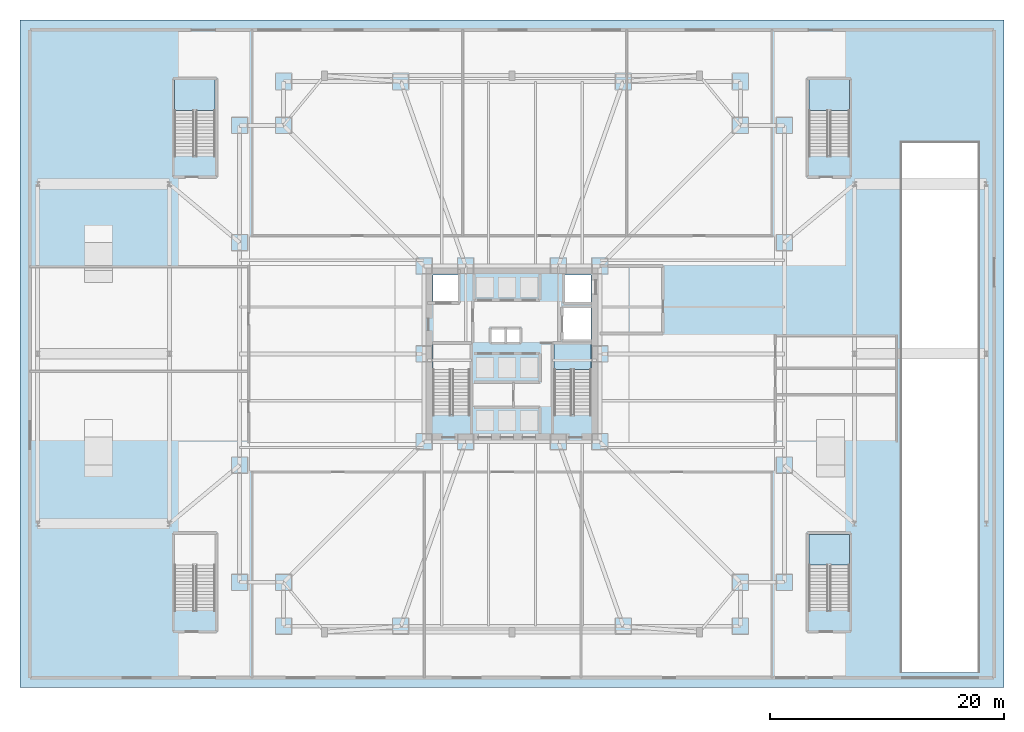
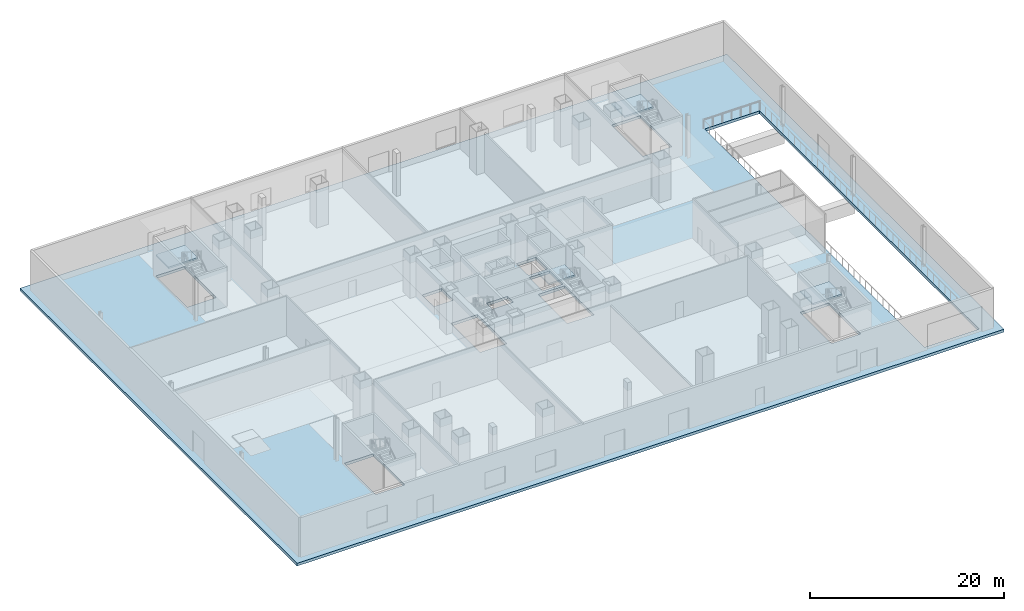
# One storey, part 5 of 24: 5 slabs, 4 elements without a shape of their own.
"""IFC4 building model written with IfcOpenShell, lengths in metres."""

from ifc_helpers import new_model, si_unit, direction, frame, origin, place, context, subcontext, project, spatial, polyline, outline, extrude, material, layer, layer_set, type_object, element, aggregate, save


model = new_model("IFC4")

# Units and contexts
model_context = context("Model", 3, precision=1e-05, world=origin(), true_north=direction((0.0, 1.0)))
body_context = subcontext(model_context, "Body", "Model", "MODEL_VIEW")
ifc_project = project(units=[si_unit("LENGTHUNIT", "METRE"), si_unit("AREAUNIT", "SQUARE_METRE"), si_unit("VOLUMEUNIT", "CUBIC_METRE"), si_unit("PLANEANGLEUNIT", "RADIAN"), si_unit("MASSUNIT", "GRAM", prefix="KILO")], contexts=[model_context])

# Site, building, storey
site_placement = place(None, origin())
site = spatial("IfcSite", under=ifc_project, at=site_placement, CompositionType="ELEMENT")
building_placement = place(site_placement, origin())
building = spatial("IfcBuilding", under=site, at=building_placement, Name="Trevonay Congress Spire", CompositionType="ELEMENT")
storey_placement = place(building_placement, origin())
storey = spatial("IfcBuildingStorey", under=building, at=storey_placement, Name="L00", CompositionType="ELEMENT", Elevation=0.0)

# Slab
ifc_material = material(Name="Concrete C40/50", Category="concrete")
ifc_layer_1 = layer(ifc_material, 0.35009765625, Name="Concrete C40/50")
ifc_layer_set_1 = layer_set([ifc_layer_1], Name="Concrete C40/50")
slab_type_1 = type_object("IfcSlabType", Name="SLB-POD-350", PredefinedType="FLOOR", material=ifc_layer_set_1)
slab_1_placement = place(storey_placement, frame((0.0, 0.0, -0.35009765625)))
element("IfcSlab", 1, at=slab_1_placement, inside=storey, type_object=slab_type_1, Name="L00 structural floor slab", PredefinedType="FLOOR", context=body_context, shape_type="SweptSolid", body=[
    extrude(outline(polyline([(-42.0, -28.5), (42.0, -28.5), (42.0, 28.5), (-42.0, 28.5), (-42.0, -28.5)]), holes=[polyline([(-3.60009765625, -5.14990234375), (-3.60009765625, 0.85009765625), (-6.75, 0.85009765625), (-6.75, -5.14990234375), (-3.60009765625, -5.14990234375)]), polyline([(6.75, -5.14990234375), (6.75, 0.85009765625), (3.60009765625, 0.85009765625), (3.60009765625, -5.14990234375), (6.75, -5.14990234375)]), polyline([(-25.35009765625, -21.85009765625), (-25.35009765625, -15.39990234375), (-28.800048828125, -15.39990234375), (-28.800048828125, -21.85009765625), (-25.35009765625, -21.85009765625)]), polyline([(28.800048828125, -21.85009765625), (28.800048828125, -15.39990234375), (25.35009765625, -15.39990234375), (25.35009765625, -21.85009765625), (28.800048828125, -21.85009765625)]), polyline([(-25.35009765625, 16.949951171875), (-25.35009765625, 23.39990234375), (-28.800048828125, 23.39990234375), (-28.800048828125, 16.949951171875), (-25.35009765625, 16.949951171875)]), polyline([(28.800048828125, 16.949951171875), (28.800048828125, 23.39990234375), (25.35009765625, 23.39990234375), (25.35009765625, 16.949951171875), (28.800048828125, 16.949951171875)]), polyline([(-6.75, 4.35009765625), (-4.449951171875, 4.35009765625), (-4.449951171875, 6.75), (-6.75, 6.75), (-6.75, 4.35009765625)]), polyline([(4.449951171875, 4.35009765625), (6.75, 4.35009765625), (6.75, 6.75), (4.449951171875, 6.75), (4.449951171875, 4.35009765625)]), polyline([(4.35009765625, 1.199951171875), (6.75, 1.199951171875), (6.75, 3.949951171875), (4.35009765625, 3.949951171875), (4.35009765625, 1.199951171875)]), polyline([(-1.800048828125, 0.949951171875), (0.699951171875, 0.949951171875), (0.699951171875, 2.14990234375), (-1.800048828125, 2.14990234375), (-1.800048828125, 0.949951171875)]), polyline([(33.300048828125, -27.199951171875), (39.800048828125, -27.199951171875), (39.800048828125, 18.0), (33.300048828125, 18.0), (33.300048828125, -27.199951171875)])]), origin(), (0.0, 0.0, 1.0), 0.35009765625),
])

# Stair, slab
stair_type_1 = type_object("IfcStairType", Name="STR-ST-2", PredefinedType="HALF_TURN_STAIR", material=ifc_material)
stair_1_placement = place(storey_placement, origin())
stair_1 = element("IfcStair", 2, at=stair_1_placement, inside=storey, type_object=stair_type_1, Name="L00 Protected Exit Stair ST-2", PredefinedType="HALF_TURN_STAIR")
ifc_layer_2 = layer(ifc_material, 0.199951171875, Name="Concrete C40/50")
ifc_layer_set_2 = layer_set([ifc_layer_2], Name="Concrete C40/50")
slab_type_2 = type_object("IfcSlabType", Name="SLB-STAIR-LAND-200", PredefinedType="LANDING", material=ifc_layer_set_2)
slab_2_placement = place(storey_placement, frame((0.0, 0.0, 2.5)))
slab_2 = element("IfcSlab", 3, at=slab_2_placement, type_object=slab_type_2, Name="ST-2 landing 1", PredefinedType="LANDING", context=body_context, shape_type="SweptSolid", body=[
    extrude(outline(polyline([(6.75, -1.330078125), (6.75, 0.85009765625), (3.60009765625, 0.85009765625), (3.60009765625, -1.330078125), (6.75, -1.330078125)])), origin(), (0.0, 0.0, 1.0), 0.199951171875),
])
aggregate(stair_1, [slab_2])

stair_type_2 = type_object("IfcStairType", Name="STR-ST-4", PredefinedType="HALF_TURN_STAIR", material=ifc_material)
stair_2_placement = place(storey_placement, origin())
stair_2 = element("IfcStair", 4, at=stair_2_placement, inside=storey, type_object=stair_type_2, Name="L00 Protected Exit Stair ST-4", PredefinedType="HALF_TURN_STAIR")
slab_3_placement = place(storey_placement, frame((0.0, 0.0, 2.5)))
slab_3 = element("IfcSlab", 5, at=slab_3_placement, type_object=slab_type_2, Name="ST-4 landing 1", PredefinedType="LANDING", context=body_context, shape_type="SweptSolid", body=[
    extrude(outline(polyline([(28.800048828125, -18.030029296875), (28.800048828125, -15.39990234375), (25.35009765625, -15.39990234375), (25.35009765625, -18.030029296875), (28.800048828125, -18.030029296875)])), origin(), (0.0, 0.0, 1.0), 0.199951171875),
])
aggregate(stair_2, [slab_3])

stair_type_3 = type_object("IfcStairType", Name="STR-ST-5", PredefinedType="HALF_TURN_STAIR", material=ifc_material)
stair_3_placement = place(storey_placement, origin())
stair_3 = element("IfcStair", 6, at=stair_3_placement, inside=storey, type_object=stair_type_3, Name="L00 Protected Exit Stair ST-5", PredefinedType="HALF_TURN_STAIR")
slab_4_placement = place(storey_placement, frame((0.0, 0.0, 2.5)))
slab_4 = element("IfcSlab", 7, at=slab_4_placement, type_object=slab_type_2, Name="ST-5 landing 1", PredefinedType="LANDING", context=body_context, shape_type="SweptSolid", body=[
    extrude(outline(polyline([(-25.35009765625, 20.77001953125), (-25.35009765625, 23.39990234375), (-28.800048828125, 23.39990234375), (-28.800048828125, 20.77001953125), (-25.35009765625, 20.77001953125)])), origin(), (0.0, 0.0, 1.0), 0.199951171875),
])
aggregate(stair_3, [slab_4])

stair_type_4 = type_object("IfcStairType", Name="STR-ST-6", PredefinedType="HALF_TURN_STAIR", material=ifc_material)
stair_4_placement = place(storey_placement, origin())
stair_4 = element("IfcStair", 8, at=stair_4_placement, inside=storey, type_object=stair_type_4, Name="L00 Protected Exit Stair ST-6", PredefinedType="HALF_TURN_STAIR")
slab_5_placement = place(storey_placement, frame((0.0, 0.0, 2.5)))
slab_5 = element("IfcSlab", 9, at=slab_5_placement, type_object=slab_type_2, Name="ST-6 landing 1", PredefinedType="LANDING", context=body_context, shape_type="SweptSolid", body=[
    extrude(outline(polyline([(28.800048828125, 20.77001953125), (28.800048828125, 23.39990234375), (25.35009765625, 23.39990234375), (25.35009765625, 20.77001953125), (28.800048828125, 20.77001953125)])), origin(), (0.0, 0.0, 1.0), 0.199951171875),
])
aggregate(stair_4, [slab_5])

save(model, "model.ifc")
